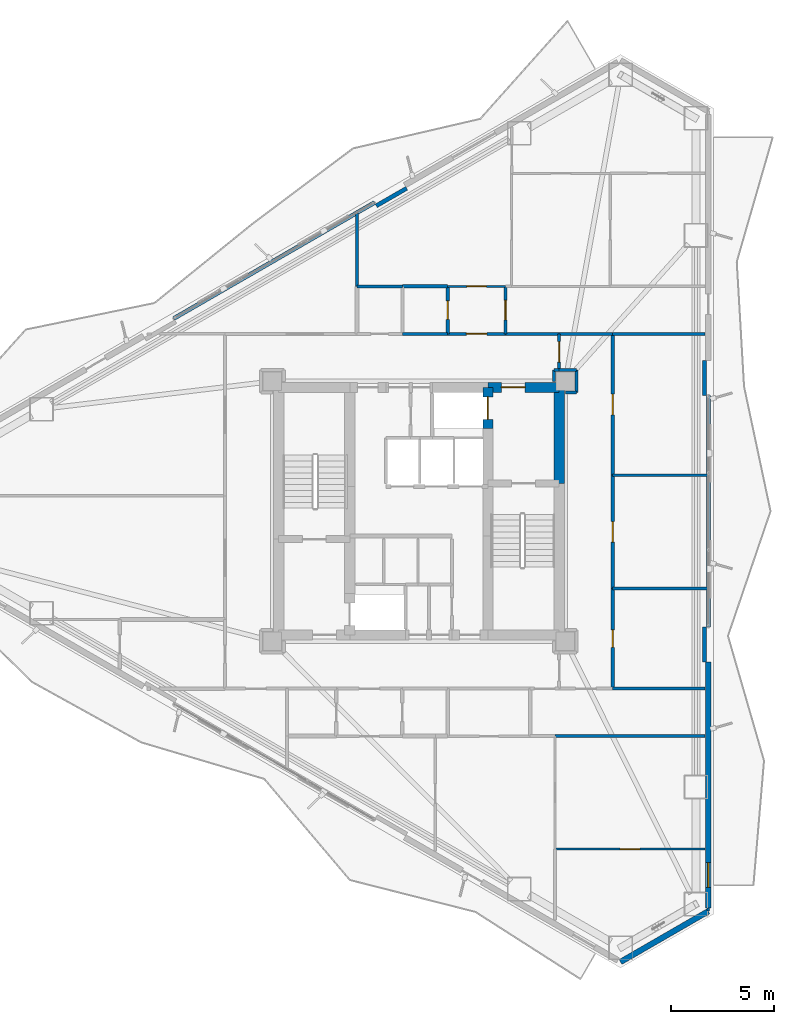
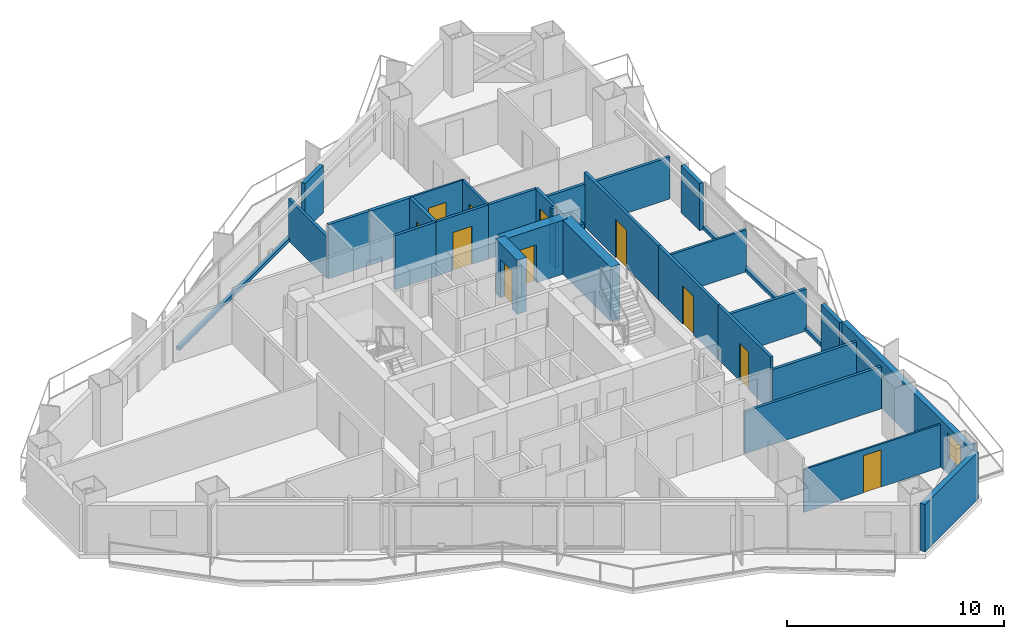
# One storey, part 18 of 22: 36 walls, 11 doors, 1 window, 12 openings.
"""IFC4 building model written with IfcOpenShell, lengths in metres."""

from ifc_helpers import new_model, si_unit, direction, frame, frame_2d, origin, place, context, subcontext, project, spatial, rectangle, extrude, material, layer, layer_set, type_object, element, fill, save


model = new_model("IFC4")

# Units and contexts
model_context = context("Model", 3, precision=1e-05, world=origin(), true_north=direction((0.0, 1.0)))
body_context = subcontext(model_context, "Body", "Model", "MODEL_VIEW")
ifc_project = project(units=[si_unit("LENGTHUNIT", "METRE"), si_unit("AREAUNIT", "SQUARE_METRE"), si_unit("VOLUMEUNIT", "CUBIC_METRE"), si_unit("PLANEANGLEUNIT", "RADIAN"), si_unit("MASSUNIT", "GRAM", prefix="KILO")], contexts=[model_context])

# Site, building, storey
site_placement = place(None, origin())
site = spatial("IfcSite", under=ifc_project, at=site_placement, CompositionType="ELEMENT")
building_placement = place(site_placement, origin())
building = spatial("IfcBuilding", under=site, at=building_placement, Name="Mersakhor Tower and Convention Hall", CompositionType="ELEMENT")
storey_placement = place(building_placement, frame((0.0, 0.0, 86.699951171875)))
storey = spatial("IfcBuildingStorey", under=building, at=storey_placement, Name="L23", CompositionType="ELEMENT", Elevation=86.699951171875)

# Wall
ifc_material_1 = material(Name="Precast concrete C45/55", Category="concrete")
ifc_layer_1 = layer(ifc_material_1, 0.27490234375)
ifc_layer_set_1 = layer_set([ifc_layer_1], Name="Precast concrete C45/55")
wall_type_1 = type_object("IfcWallType", Name="WL-EXT-275", PredefinedType="SOLIDWALL", material=ifc_layer_set_1)
wall_1_placement = place(storey_placement, frame((43.03466796875, 7.355712890625, 0.0), z_axis=(0.0, 0.0, 1.0), x_axis=(-0.866011848704, -0.500023477353, 0.0)))
element("IfcWall", 1, at=wall_1_placement, inside=storey, type_object=wall_type_1, Name="L23 Chamfer Braced Spandrel Wall C2", PredefinedType="SOLIDWALL", context=body_context, shape_type="SweptSolid", body=[
    extrude(rectangle(XDim=4.914306640625, YDim=0.27490234375, at=frame_2d((2.45703125, 0.0))), origin(), (0.0, 0.0, 1.0), 2.670166015625),
])

# Wall, opening, window
wall_2_placement = place(storey_placement, frame((43.03466796875, 19.435302734375, 0.0), z_axis=(0.0, 0.0, 1.0), x_axis=(0.0, -1.0, 0.0)))
wall_2 = element("IfcWall", 2, at=wall_2_placement, inside=storey, type_object=wall_type_1, Name="L23 Exterior Facade Wall F2-B3", PredefinedType="SOLIDWALL", context=body_context, shape_type="SweptSolid", body=[
    extrude(rectangle(XDim=11.9296875, YDim=0.27490234375, at=frame_2d((5.96484375, 0.0))), origin(), (0.0, 0.0, 1.0), 2.670166015625),
])
opening_1_placement = place(wall_2_placement, frame((9.72607421875, 0.0, 0.89990234375)))
opening_1 = element("IfcOpeningElement", 3, at=opening_1_placement, cuts=wall_2, Name="Opening W-01", PredefinedType="OPENING", context=body_context, shape_type="SweptSolid", body=[
    extrude(rectangle(XDim=1.199951171875, YDim=1.39990234375, at=frame_2d((0.60009765625, 0.699951171875))), frame((0.0, 0.1474609375, 0.0), z_axis=(0.0, -1.0, 0.0), x_axis=(1.0, 0.0, 0.0)), (0.0, 0.0, 1.0), 0.294921875),
])
ifc_material_2 = material(Name="Dark solar low-E glazed aluminium window", Category="aluminium")
window_type = type_object("IfcWindowType", Name="WN-RES-120x150", PartitioningType="SINGLE_PANEL", PredefinedType="WINDOW", material=ifc_material_2)
window_placement = place(opening_1_placement, origin())
window = element("IfcWindow", 4, at=window_placement, inside=storey, type_object=window_type, Name="L23 Bedroom Facade Window F2-B3-1", OverallHeight=1.39990234375, OverallWidth=1.199951171875, PartitioningType="SINGLE_PANEL", PredefinedType="WINDOW", context=body_context, shape_type="SweptSolid", body=[
    extrude(rectangle(XDim=1.199951171875, YDim=1.39990234375, at=frame_2d((0.60009765625, 0.699951171875))), frame((0.0, 0.030029296875, 0.0), z_axis=(0.0, -1.0, 0.0), x_axis=(1.0, 0.0, 0.0)), (0.0, 0.0, 1.0), 0.06005859375),
])
fill(opening_1, window)

# Walls
ifc_material_3 = material(Name="Precast concrete C40/50", Category="concrete")
ifc_layer_2 = layer(ifc_material_3, 0.199951171875)
ifc_layer_set_2 = layer_set([ifc_layer_2], Name="Precast concrete C40/50")
wall_type_2 = type_object("IfcWallType", Name="WL-PAR-200", PredefinedType="PARAPET", material=ifc_layer_set_2)
wall_3_placement = place(storey_placement, frame((17.1201171875, 36.096923828125, 0.0), z_axis=(0.0, 0.0, 1.0), x_axis=(0.866027010039, 0.499997217876, 0.0)))
element("IfcWall", 5, at=wall_3_placement, inside=storey, type_object=wall_type_2, Name="L23 Curtain Wall Upstand Sill F1-B2", PredefinedType="PARAPET", context=body_context, shape_type="SweptSolid", body=[
    extrude(rectangle(XDim=11.2294921875, YDim=0.199951171875, at=frame_2d((5.61474609375, 0.0))), origin(), (0.0, 0.0, 1.0), 0.199951171875),
])
wall_4_placement = place(storey_placement, frame((26.935302734375, 41.555908203125, 0.0), z_axis=(0.0, 0.0, 1.0), x_axis=(0.86605165483, 0.499954529098, 0.0)))
element("IfcWall", 6, at=wall_4_placement, inside=storey, type_object=wall_type_2, Name="L23 Column Pier Cladding Wall F1-C2", PredefinedType="PARAPET", context=body_context, shape_type="SweptSolid", body=[
    extrude(rectangle(XDim=1.699951171875, YDim=0.199951171875, at=frame_2d((0.85009765625, 0.0))), origin(), (0.0, 0.0, 1.0), 2.670166015625),
])
wall_5_placement = place(storey_placement, frame((43.03466796875, 32.36474609375, 0.0), z_axis=(0.0, 0.0, 1.0), x_axis=(0.0, -1.0, 0.0)))
element("IfcWall", 7, at=wall_5_placement, inside=storey, type_object=wall_type_2, Name="L23 Curtain Wall Upstand Sill F2-B2", PredefinedType="PARAPET", context=body_context, shape_type="SweptSolid", body=[
    extrude(rectangle(XDim=11.2294921875, YDim=0.199951171875, at=frame_2d((5.61474609375, 0.0))), origin(), (0.0, 0.0, 1.0), 0.199951171875),
])
for number, where, z_axis, x_axis, name in (
    (8, (42.8544921875, 34.064697265625, 0.0), (0.0, 0.0, 1.0), (0.0, -1.0, 0.0), "L23 Column Pier Cladding Wall F2-C1"),
    (9, (42.8544921875, 21.13525390625, 0.0), (0.0, 0.0, 1.0), (0.0, -1.0, 0.0), "L23 Column Pier Cladding Wall F2-C2"),
):
    element("IfcWall", number, at=place(storey_placement, frame(where, z_axis=z_axis, x_axis=x_axis)), inside=storey, type_object=wall_type_2, Name=name, PredefinedType="PARAPET", context=body_context, shape_type="SweptSolid", body=[
        extrude(rectangle(XDim=1.699951171875, YDim=0.199951171875, at=frame_2d((0.85009765625, 0.0))), origin(), (0.0, 0.0, 1.0), 2.670166015625),
    ])

# Wall, opening, door
ifc_material_4 = material(Name="Moisture-resistant acoustic drywall studwork", Category="other")
ifc_layer_3 = layer(ifc_material_4, 0.175048828125)
ifc_layer_set_3 = layer_set([ifc_layer_3], Name="Moisture-resistant acoustic drywall studwork")
wall_type_3 = type_object("IfcWallType", Name="WL-PLM-175", PredefinedType="PLUMBINGWALL", material=ifc_layer_set_3)
wall_6_placement = place(storey_placement, frame((30.39990234375, 35.35009765625, 0.0), z_axis=(0.0, 0.0, 1.0), x_axis=(0.0, 1.0, 0.0)))
wall_6 = element("IfcWall", 10, at=wall_6_placement, inside=storey, type_object=wall_type_3, Name="L23 Interior Partition Wall P-062", PredefinedType="PLUMBINGWALL", context=body_context, shape_type="SweptSolid", body=[
    extrude(rectangle(XDim=2.2998046875, YDim=0.175048828125, at=frame_2d((1.14990234375, 0.0))), origin(), (0.0, 0.0, 1.0), 3.050048828125),
])
opening_2_placement = place(wall_6_placement, frame((0.699951171875, 0.0, 0.0)))
opening_2 = element("IfcOpeningElement", 11, at=opening_2_placement, cuts=wall_6, Name="Opening WD-01", PredefinedType="OPENING", context=body_context, shape_type="SweptSolid", body=[
    extrude(rectangle(XDim=0.89990234375, YDim=2.10009765625, at=frame_2d((0.449951171875, 1.050048828125))), frame((0.0, 0.097412109375, 0.0), z_axis=(0.0, -1.0, 0.0), x_axis=(1.0, 0.0, 0.0)), (0.0, 0.0, 1.0), 0.195068359375),
])
ifc_material_5 = material(Name="Solid-core hardwood leaf in painted steel frame", Category="steel")
door_type_1 = type_object("IfcDoorType", Name="DR-INT-WET-090x210", OperationType="NOTDEFINED", PredefinedType="DOOR", material=ifc_material_5)
door_1_placement = place(opening_2_placement, origin())
door_1 = element("IfcDoor", 12, at=door_1_placement, inside=storey, type_object=door_type_1, Name="L23 L23 Flat N1 Apartment Hall to L23 Flat N1 Bathroom Door", OperationType="SINGLE_SWING_LEFT", OverallHeight=2.10009765625, OverallWidth=0.89990234375, PredefinedType="DOOR", context=body_context, shape_type="SweptSolid", body=[
    extrude(rectangle(XDim=0.89990234375, YDim=2.10009765625, at=frame_2d((0.449951171875, 1.050048828125))), frame((0.0, 0.02490234375, 0.0), z_axis=(0.0, -1.0, 0.0), x_axis=(1.0, 0.0, 0.0)), (0.0, 0.0, 1.0), 0.050048828125),
])
fill(opening_2, door_1)

# Wall
wall_7_placement = place(storey_placement, frame((28.199951171875, 37.64990234375, 0.0), z_axis=(0.0, 0.0, 1.0), x_axis=(1.0, 0.0, 0.0)))
element("IfcWall", 13, at=wall_7_placement, inside=storey, type_object=wall_type_3, Name="L23 Interior Partition Wall P-073", PredefinedType="PLUMBINGWALL", context=body_context, shape_type="SweptSolid", body=[
    extrude(rectangle(XDim=2.199951171875, YDim=0.175048828125, at=frame_2d((1.10009765625, 0.0))), origin(), (0.0, 0.0, 1.0), 3.050048828125),
])

# Wall, opening, door
ifc_material_6 = material(Name="Lightweight gypsum partition", Category="other")
ifc_layer_4 = layer(ifc_material_6, 0.10009765625)
ifc_layer_set_4 = layer_set([ifc_layer_4], Name="Lightweight gypsum partition")
wall_type_4 = type_object("IfcWallType", Name="WL-PRT-100", PredefinedType="PARTITIONING", material=ifc_layer_set_4)
wall_8_placement = place(storey_placement, frame((30.39990234375, 37.64990234375, 0.0), z_axis=(0.0, 0.0, 1.0), x_axis=(1.0, 0.0, 0.0)))
wall_8 = element("IfcWall", 14, at=wall_8_placement, inside=storey, type_object=wall_type_4, Name="L23 Interior Partition Wall P-060", PredefinedType="PARTITIONING", context=body_context, shape_type="SweptSolid", body=[
    extrude(rectangle(XDim=2.800048828125, YDim=0.10009765625, at=frame_2d((1.39990234375, 0.0))), origin(), (0.0, 0.0, 1.0), 3.050048828125),
])
opening_3_placement = place(wall_8_placement, frame((0.925048828125, 0.0, 0.0)))
opening_3 = element("IfcOpeningElement", 15, at=opening_3_placement, cuts=wall_8, Name="Opening RD-01", PredefinedType="OPENING", context=body_context, shape_type="SweptSolid", body=[
    extrude(rectangle(XDim=0.949951171875, YDim=2.10009765625, at=frame_2d((0.47509765625, 1.050048828125))), frame((0.0, 0.06005859375, 0.0), z_axis=(0.0, -1.0, 0.0), x_axis=(1.0, 0.0, 0.0)), (0.0, 0.0, 1.0), 0.1201171875),
])
ifc_material_7 = material(Name="Solid-core hardwood leaf in painted steel frame", Category="steel")
door_type_2 = type_object("IfcDoorType", Name="DR-INT-RM-095x210", OperationType="NOTDEFINED", PredefinedType="DOOR", material=ifc_material_7)
door_2_placement = place(opening_3_placement, origin())
door_2 = element("IfcDoor", 16, at=door_2_placement, inside=storey, type_object=door_type_2, Name="L23 L23 Flat N1 Apartment Hall to L23 Flat N1 Living and Dining Room Door", OperationType="SINGLE_SWING_LEFT", OverallHeight=2.10009765625, OverallWidth=0.949951171875, PredefinedType="DOOR", context=body_context, shape_type="SweptSolid", body=[
    extrude(rectangle(XDim=0.949951171875, YDim=2.10009765625, at=frame_2d((0.47509765625, 1.050048828125))), frame((0.0, 0.02490234375, 0.0), z_axis=(0.0, -1.0, 0.0), x_axis=(1.0, 0.0, 0.0)), (0.0, 0.0, 1.0), 0.050048828125),
])
fill(opening_3, door_2)

wall_9_placement = place(storey_placement, frame((35.60009765625, 10.3701171875, 0.0), z_axis=(0.0, 0.0, 1.0), x_axis=(1.0, 0.0, 0.0)))
wall_9 = element("IfcWall", 17, at=wall_9_placement, inside=storey, type_object=wall_type_4, Name="L23 Interior Partition Wall P-106", PredefinedType="PARTITIONING", context=body_context, shape_type="SweptSolid", body=[
    extrude(rectangle(XDim=7.27294921875, YDim=0.10009765625, at=frame_2d((3.636474609375, 0.0))), origin(), (0.0, 0.0, 1.0), 2.4228515625),
])
opening_4_placement = place(wall_9_placement, frame((3.16162109375, 0.0, 0.0)))
opening_4 = element("IfcOpeningElement", 18, at=opening_4_placement, cuts=wall_9, Name="Opening RD-01", PredefinedType="OPENING", context=body_context, shape_type="SweptSolid", body=[
    extrude(rectangle(XDim=0.949951171875, YDim=2.10009765625, at=frame_2d((0.47509765625, 1.050048828125))), frame((0.0, 0.06005859375, 0.0), z_axis=(0.0, -1.0, 0.0), x_axis=(1.0, 0.0, 0.0)), (0.0, 0.0, 1.0), 0.1201171875),
])
door_3_placement = place(opening_4_placement, origin())
door_3 = element("IfcDoor", 19, at=door_3_placement, inside=storey, type_object=door_type_2, Name="L23 L23 Flat S2 Bedroom 2 to L23 Flat S2 Dining Room Door", OperationType="SINGLE_SWING_RIGHT", OverallHeight=2.10009765625, OverallWidth=0.949951171875, PredefinedType="DOOR", context=body_context, shape_type="SweptSolid", body=[
    extrude(rectangle(XDim=0.949951171875, YDim=2.10009765625, at=frame_2d((0.47509765625, 1.050048828125))), frame((0.0, 0.02490234375, 0.0), z_axis=(0.0, -1.0, 0.0), x_axis=(1.0, 0.0, 0.0)), (0.0, 0.0, 1.0), 0.050048828125),
])
fill(opening_4, door_3)

ifc_material_8 = material(Name="Gypsum board acoustic partition", Category="other")
ifc_layer_5 = layer(ifc_material_8, 0.125)
ifc_layer_set_5 = layer_set([ifc_layer_5], Name="Gypsum board acoustic partition")
wall_type_5 = type_object("IfcWallType", Name="WL-PRT-125", PredefinedType="PARTITIONING", material=ifc_layer_set_5)
wall_10_placement = place(storey_placement, frame((33.199951171875, 37.64990234375, 0.0), z_axis=(0.0, 0.0, 1.0), x_axis=(0.0, -1.0, 0.0)))
wall_10 = element("IfcWall", 20, at=wall_10_placement, inside=storey, type_object=wall_type_5, Name="L23 Interior Partition Wall P-061", PredefinedType="PARTITIONING", context=body_context, shape_type="SweptSolid", body=[
    extrude(rectangle(XDim=2.2998046875, YDim=0.125, at=frame_2d((1.14990234375, 0.0))), origin(), (0.0, 0.0, 1.0), 3.050048828125),
])
opening_5_placement = place(wall_10_placement, frame((0.675048828125, 0.0, 0.0)))
opening_5 = element("IfcOpeningElement", 21, at=opening_5_placement, cuts=wall_10, Name="Opening RD-01", PredefinedType="OPENING", context=body_context, shape_type="SweptSolid", body=[
    extrude(rectangle(XDim=0.949951171875, YDim=2.10009765625, at=frame_2d((0.47509765625, 1.050048828125))), frame((0.0, 0.072509765625, 0.0), z_axis=(0.0, -1.0, 0.0), x_axis=(1.0, 0.0, 0.0)), (0.0, 0.0, 1.0), 0.14501953125),
])
door_4_placement = place(opening_5_placement, origin())
door_4 = element("IfcDoor", 22, at=door_4_placement, inside=storey, type_object=door_type_2, Name="L23 L23 Flat N1 Apartment Hall to L23 Flat N1 Kitchen Door", OperationType="SINGLE_SWING_RIGHT", OverallHeight=2.10009765625, OverallWidth=0.949951171875, PredefinedType="DOOR", context=body_context, shape_type="SweptSolid", body=[
    extrude(rectangle(XDim=0.949951171875, YDim=2.10009765625, at=frame_2d((0.47509765625, 1.050048828125))), frame((0.0, 0.02490234375, 0.0), z_axis=(0.0, -1.0, 0.0), x_axis=(1.0, 0.0, 0.0)), (0.0, 0.0, 1.0), 0.050048828125),
])
fill(opening_5, door_4)

# Walls
wall_11_placement = place(storey_placement, frame((42.99853515625, 28.5, 0.0), z_axis=(0.0, 0.0, 1.0), x_axis=(-1.0, 0.0, 0.0)))
element("IfcWall", 23, at=wall_11_placement, inside=storey, type_object=wall_type_5, Name="L23 Interior Partition Wall P-095", PredefinedType="PARTITIONING", context=body_context, shape_type="SweptSolid", body=[
    extrude(rectangle(XDim=4.5986328125, YDim=0.125, at=frame_2d((2.29931640625, 0.0))), origin(), (0.0, 0.0, 1.0), 2.364990234375),
])
wall_12_placement = place(storey_placement, frame((43.034912109375, 7.505615234375, 0.0), z_axis=(0.0, 0.0, 1.0), x_axis=(0.0, -1.0, 0.0)))
element("IfcWall", 24, at=wall_12_placement, inside=storey, type_object=wall_type_5, Name="L23 Interior Partition Wall P-107", PredefinedType="PARTITIONING", context=body_context, shape_type="SweptSolid", body=[
    extrude(rectangle(XDim=0.149658203125, YDim=0.125, at=frame_2d((0.07470703125, 0.0))), origin(), (0.0, 0.0, 1.0), 3.050048828125),
])
ifc_material_9 = material(Name="Fire-rated gypsum board stud partition", Category="other")
ifc_layer_6 = layer(ifc_material_9, 0.14990234375)
ifc_layer_set_6 = layer_set([ifc_layer_6], Name="Fire-rated gypsum board stud partition")
wall_type_6 = type_object("IfcWallType", Name="WL-PRT-150", PredefinedType="PARTITIONING", material=ifc_layer_set_6)
wall_13_placement = place(storey_placement, frame((28.199951171875, 35.35009765625, 0.0), z_axis=(0.0, 0.0, 1.0), x_axis=(1.0, 0.0, 0.0)))
element("IfcWall", 25, at=wall_13_placement, inside=storey, type_object=wall_type_6, Name="L23 Interior Partition Wall P-037", PredefinedType="PARTITIONING", context=body_context, shape_type="SweptSolid", body=[
    extrude(rectangle(XDim=2.199951171875, YDim=0.14990234375, at=frame_2d((1.10009765625, 0.0))), origin(), (0.0, 0.0, 1.0), 3.050048828125),
])

# Wall, opening, door
wall_14_placement = place(storey_placement, frame((30.39990234375, 35.35009765625, 0.0), z_axis=(0.0, 0.0, 1.0), x_axis=(1.0, 0.0, 0.0)))
wall_14 = element("IfcWall", 26, at=wall_14_placement, inside=storey, type_object=wall_type_6, Name="L23 Interior Partition Wall P-038", PredefinedType="PARTITIONING", context=body_context, shape_type="SweptSolid", body=[
    extrude(rectangle(XDim=2.800048828125, YDim=0.14990234375, at=frame_2d((1.39990234375, 0.0))), origin(), (0.0, 0.0, 1.0), 3.050048828125),
])
opening_6_placement = place(wall_14_placement, frame((0.89990234375, 0.0, 0.0)))
opening_6 = element("IfcOpeningElement", 27, at=opening_6_placement, cuts=wall_14, Name="Opening FD-01", PredefinedType="OPENING", context=body_context, shape_type="SweptSolid", body=[
    extrude(rectangle(XDim=1.0, YDim=2.14990234375, at=frame_2d((0.5, 1.074951171875))), frame((0.0, 0.0849609375, 0.0), z_axis=(0.0, -1.0, 0.0), x_axis=(1.0, 0.0, 0.0)), (0.0, 0.0, 1.0), 0.169921875),
])
ifc_material_10 = material(Name="Fire-rated hardwood leaf and painted steel frame", Category="steel")
door_type_3 = type_object("IfcDoorType", Name="DR-INT-FLT-100x215", OperationType="NOTDEFINED", PredefinedType="DOOR", material=ifc_material_10)
door_5_placement = place(opening_6_placement, origin())
door_5 = element("IfcDoor", 28, at=door_5_placement, inside=storey, type_object=door_type_3, Name="L23 Apartment Entrance Door (Residential Ring Corridor to L23 Flat N1 Apartment Hall)", OperationType="SINGLE_SWING_LEFT", OverallHeight=2.14990234375, OverallWidth=1.0, PredefinedType="DOOR", context=body_context, shape_type="SweptSolid", body=[
    extrude(rectangle(XDim=1.0, YDim=2.14990234375, at=frame_2d((0.5, 1.074951171875))), frame((0.0, 0.02490234375, 0.0), z_axis=(0.0, -1.0, 0.0), x_axis=(1.0, 0.0, 0.0)), (0.0, 0.0, 1.0), 0.050048828125),
])
fill(opening_6, door_5)

# Wall
wall_15_placement = place(storey_placement, frame((33.199951171875, 35.35009765625, 0.0), z_axis=(0.0, 0.0, 1.0), x_axis=(1.0, 0.0, 0.0)))
element("IfcWall", 29, at=wall_15_placement, inside=storey, type_object=wall_type_6, Name="L23 Interior Partition Wall P-039", PredefinedType="PARTITIONING", context=body_context, shape_type="SweptSolid", body=[
    extrude(rectangle(XDim=2.60009765625, YDim=0.14990234375, at=frame_2d((1.300048828125, 0.0))), origin(), (0.0, 0.0, 1.0), 3.050048828125),
])

# Wall, opening, door
wall_16_placement = place(storey_placement, frame((35.800048828125, 35.35009765625, 0.0), z_axis=(0.0, 0.0, 1.0), x_axis=(0.0, -1.0, 0.0)))
wall_16 = element("IfcWall", 30, at=wall_16_placement, inside=storey, type_object=wall_type_6, Name="L23 Interior Partition Wall P-040", PredefinedType="PARTITIONING", context=body_context, shape_type="SweptSolid", body=[
    extrude(rectangle(XDim=1.75, YDim=0.14990234375, at=frame_2d((0.875, 0.0))), origin(), (0.0, 0.0, 1.0), 3.050048828125),
])
opening_7_placement = place(wall_16_placement, frame((0.375, 0.0, 0.0)))
opening_7 = element("IfcOpeningElement", 31, at=opening_7_placement, cuts=wall_16, Name="Opening FD-01", PredefinedType="OPENING", context=body_context, shape_type="SweptSolid", body=[
    extrude(rectangle(XDim=1.0, YDim=2.14990234375, at=frame_2d((0.5, 1.074951171875))), frame((0.0, 0.0849609375, 0.0), z_axis=(0.0, -1.0, 0.0), x_axis=(1.0, 0.0, 0.0)), (0.0, 0.0, 1.0), 0.169921875),
])
door_6_placement = place(opening_7_placement, origin())
door_6 = element("IfcDoor", 32, at=door_6_placement, inside=storey, type_object=door_type_3, Name="L23 Ring Corridor Fire Door", OperationType="SINGLE_SWING_RIGHT", OverallHeight=2.14990234375, OverallWidth=1.0, PredefinedType="DOOR", context=body_context, shape_type="SweptSolid", body=[
    extrude(rectangle(XDim=1.0, YDim=2.14990234375, at=frame_2d((0.5, 1.074951171875))), frame((0.0, 0.02490234375, 0.0), z_axis=(0.0, -1.0, 0.0), x_axis=(1.0, 0.0, 0.0)), (0.0, 0.0, 1.0), 0.050048828125),
])
fill(opening_7, door_6)

# Walls
wall_17_placement = place(storey_placement, frame((35.800048828125, 33.60009765625, 0.0), z_axis=(0.0, 0.0, 1.0), x_axis=(-1.0, 0.0, 0.0)))
element("IfcWall", 33, at=wall_17_placement, inside=storey, type_object=wall_type_6, Name="L23 Interior Partition Wall P-041", PredefinedType="PARTITIONING", context=body_context, shape_type="SweptSolid", body=[
    extrude(rectangle(XDim=0.25, YDim=0.14990234375, at=frame_2d((0.125, 0.0))), origin(), (0.0, 0.0, 1.0), 3.050048828125),
])
wall_18_placement = place(storey_placement, frame((35.550048828125, 33.60009765625, 0.0), z_axis=(0.0, 0.0, 1.0), x_axis=(0.0, -1.0, 0.0)))
element("IfcWall", 34, at=wall_18_placement, inside=storey, type_object=wall_type_6, Name="L23 Interior Partition Wall P-042", PredefinedType="PARTITIONING", context=body_context, shape_type="SweptSolid", body=[
    extrude(rectangle(XDim=0.550048828125, YDim=0.14990234375, at=frame_2d((0.27490234375, 0.0))), origin(), (0.0, 0.0, 1.0), 2.498291015625),
])
wall_19_placement = place(storey_placement, frame((36.10009765625, 32.5, 0.0), z_axis=(0.0, 0.0, 1.0), x_axis=(1.0, 0.0, 0.0)))
element("IfcWall", 35, at=wall_19_placement, inside=storey, type_object=wall_type_6, Name="L23 Interior Partition Wall P-050", PredefinedType="PARTITIONING", context=body_context, shape_type="SweptSolid", body=[
    extrude(rectangle(XDim=0.5498046875, YDim=0.14990234375, at=frame_2d((0.27490234375, 0.0))), origin(), (0.0, 0.0, 1.0), 2.498291015625),
])
wall_20_placement = place(storey_placement, frame((36.64990234375, 32.5, 0.0), z_axis=(0.0, 0.0, 1.0), x_axis=(0.0, 1.0, 0.0)))
element("IfcWall", 36, at=wall_20_placement, inside=storey, type_object=wall_type_6, Name="L23 Interior Partition Wall P-051", PredefinedType="PARTITIONING", context=body_context, shape_type="SweptSolid", body=[
    extrude(rectangle(XDim=1.10009765625, YDim=0.14990234375, at=frame_2d((0.550048828125, 0.0))), origin(), (0.0, 0.0, 1.0), 2.4228515625),
])
wall_21_placement = place(storey_placement, frame((36.64990234375, 33.60009765625, 0.0), z_axis=(0.0, 0.0, 1.0), x_axis=(-1.0, 0.0, 0.0)))
element("IfcWall", 37, at=wall_21_placement, inside=storey, type_object=wall_type_6, Name="L23 Interior Partition Wall P-052", PredefinedType="PARTITIONING", context=body_context, shape_type="SweptSolid", body=[
    extrude(rectangle(XDim=0.849853515625, YDim=0.14990234375, at=frame_2d((0.4248046875, 0.0))), origin(), (0.0, 0.0, 1.0), 2.4228515625),
])
wall_22_placement = place(storey_placement, frame((35.800048828125, 35.35009765625, 0.0), z_axis=(0.0, 0.0, 1.0), x_axis=(1.0, 0.0, 0.0)))
element("IfcWall", 38, at=wall_22_placement, inside=storey, type_object=wall_type_6, Name="L23 Interior Partition Wall P-053", PredefinedType="PARTITIONING", context=body_context, shape_type="SweptSolid", body=[
    extrude(rectangle(XDim=2.599853515625, YDim=0.14990234375, at=frame_2d((1.2998046875, 0.0))), origin(), (0.0, 0.0, 1.0), 2.4228515625),
])

# Wall, opening, door
wall_23_placement = place(storey_placement, frame((38.39990234375, 35.35009765625, 0.0), z_axis=(0.0, 0.0, 1.0), x_axis=(0.0, -1.0, 0.0)))
wall_23 = element("IfcWall", 39, at=wall_23_placement, inside=storey, type_object=wall_type_6, Name="L23 Interior Partition Wall P-054", PredefinedType="PARTITIONING", context=body_context, shape_type="SweptSolid", body=[
    extrude(rectangle(XDim=6.85009765625, YDim=0.14990234375, at=frame_2d((3.425048828125, 0.0))), origin(), (0.0, 0.0, 1.0), 3.050048828125),
])
opening_8_placement = place(wall_23_placement, frame((2.925048828125, 0.0, 0.0)))
opening_8 = element("IfcOpeningElement", 40, at=opening_8_placement, cuts=wall_23, Name="Opening FD-01", PredefinedType="OPENING", context=body_context, shape_type="SweptSolid", body=[
    extrude(rectangle(XDim=1.0, YDim=2.14990234375, at=frame_2d((0.5, 1.074951171875))), frame((0.0, 0.0849609375, 0.0), z_axis=(0.0, -1.0, 0.0), x_axis=(1.0, 0.0, 0.0)), (0.0, 0.0, 1.0), 0.169921875),
])
door_7_placement = place(opening_8_placement, origin())
door_7 = element("IfcDoor", 41, at=door_7_placement, inside=storey, type_object=door_type_3, Name="L23 Residential Ring East Corridor to L23 East Wing Ceramics Teaching Studio Door", OperationType="SINGLE_SWING_RIGHT", OverallHeight=2.14990234375, OverallWidth=1.0, PredefinedType="DOOR", context=body_context, shape_type="SweptSolid", body=[
    extrude(rectangle(XDim=1.0, YDim=2.14990234375, at=frame_2d((0.5, 1.074951171875))), frame((0.0, 0.02490234375, 0.0), z_axis=(0.0, -1.0, 0.0), x_axis=(1.0, 0.0, 0.0)), (0.0, 0.0, 1.0), 0.050048828125),
])
fill(opening_8, door_7)

wall_24_placement = place(storey_placement, frame((38.39990234375, 28.5, 0.0), z_axis=(0.0, 0.0, 1.0), x_axis=(0.0, -1.0, 0.0)))
wall_24 = element("IfcWall", 42, at=wall_24_placement, inside=storey, type_object=wall_type_6, Name="L23 Interior Partition Wall P-055", PredefinedType="PARTITIONING", context=body_context, shape_type="SweptSolid", body=[
    extrude(rectangle(XDim=5.5, YDim=0.14990234375, at=frame_2d((2.75, 0.0))), origin(), (0.0, 0.0, 1.0), 3.050048828125),
])
opening_9_placement = place(wall_24_placement, frame((2.25, 0.0, 0.0)))
opening_9 = element("IfcOpeningElement", 43, at=opening_9_placement, cuts=wall_24, Name="Opening FD-01", PredefinedType="OPENING", context=body_context, shape_type="SweptSolid", body=[
    extrude(rectangle(XDim=1.0, YDim=2.14990234375, at=frame_2d((0.5, 1.074951171875))), frame((0.0, 0.0849609375, 0.0), z_axis=(0.0, -1.0, 0.0), x_axis=(1.0, 0.0, 0.0)), (0.0, 0.0, 1.0), 0.169921875),
])
door_8_placement = place(opening_9_placement, origin())
door_8 = element("IfcDoor", 44, at=door_8_placement, inside=storey, type_object=door_type_3, Name="L23 Residential Ring East Corridor to L23 East Wing Shared Laundry Room Door", OperationType="SINGLE_SWING_LEFT", OverallHeight=2.14990234375, OverallWidth=1.0, PredefinedType="DOOR", context=body_context, shape_type="SweptSolid", body=[
    extrude(rectangle(XDim=1.0, YDim=2.14990234375, at=frame_2d((0.5, 1.074951171875))), frame((0.0, 0.02490234375, 0.0), z_axis=(0.0, -1.0, 0.0), x_axis=(1.0, 0.0, 0.0)), (0.0, 0.0, 1.0), 0.050048828125),
])
fill(opening_9, door_8)

wall_25_placement = place(storey_placement, frame((38.39990234375, 23.0, 0.0), z_axis=(0.0, 0.0, 1.0), x_axis=(0.0, -1.0, 0.0)))
wall_25 = element("IfcWall", 45, at=wall_25_placement, inside=storey, type_object=wall_type_6, Name="L23 Interior Partition Wall P-056", PredefinedType="PARTITIONING", context=body_context, shape_type="SweptSolid", body=[
    extrude(rectangle(XDim=4.85009765625, YDim=0.14990234375, at=frame_2d((2.425048828125, 0.0))), origin(), (0.0, 0.0, 1.0), 3.050048828125),
])
opening_10_placement = place(wall_25_placement, frame((2.0, 0.0, 0.0)))
opening_10 = element("IfcOpeningElement", 46, at=opening_10_placement, cuts=wall_25, Name="Opening SVD-01", PredefinedType="OPENING", context=body_context, shape_type="SweptSolid", body=[
    extrude(rectangle(XDim=0.85009765625, YDim=2.10009765625, at=frame_2d((0.425048828125, 1.050048828125))), frame((0.0, 0.0849609375, 0.0), z_axis=(0.0, -1.0, 0.0), x_axis=(1.0, 0.0, 0.0)), (0.0, 0.0, 1.0), 0.169921875),
])
ifc_material_11 = material(Name="Fire-rated hardwood leaf and painted steel frame", Category="steel")
door_type_4 = type_object("IfcDoorType", Name="DR-INT-SVC-085x210", OperationType="NOTDEFINED", PredefinedType="DOOR", material=ifc_material_11)
door_9_placement = place(opening_10_placement, origin())
door_9 = element("IfcDoor", 47, at=door_9_placement, inside=storey, type_object=door_type_4, Name="L23 Residential Ring East Corridor to L23 East Wing Household Store Room Door", OperationType="SINGLE_SWING_RIGHT", OverallHeight=2.10009765625, OverallWidth=0.85009765625, PredefinedType="DOOR", context=body_context, shape_type="SweptSolid", body=[
    extrude(rectangle(XDim=0.85009765625, YDim=2.10009765625, at=frame_2d((0.425048828125, 1.050048828125))), frame((0.0, 0.02490234375, 0.0), z_axis=(0.0, -1.0, 0.0), x_axis=(1.0, 0.0, 0.0)), (0.0, 0.0, 1.0), 0.050048828125),
])
fill(opening_10, door_9)

# Walls
wall_26_placement = place(storey_placement, frame((26.0, 37.64990234375, 0.0), z_axis=(0.0, 0.0, 1.0), x_axis=(1.0, 0.0, 0.0)))
element("IfcWall", 48, at=wall_26_placement, inside=storey, type_object=wall_type_6, Name="L23 Interior Partition Wall P-066", PredefinedType="PARTITIONING", context=body_context, shape_type="SweptSolid", body=[
    extrude(rectangle(XDim=2.199951171875, YDim=0.14990234375, at=frame_2d((1.10009765625, 0.0))), origin(), (0.0, 0.0, 1.0), 3.050048828125),
])
wall_27_placement = place(storey_placement, frame((42.873046875, 35.35009765625, 0.0), z_axis=(0.0, 0.0, 1.0), x_axis=(-1.0, 0.0, 0.0)))
element("IfcWall", 49, at=wall_27_placement, inside=storey, type_object=wall_type_6, Name="L23 Interior Partition Wall P-074", PredefinedType="PARTITIONING", context=body_context, shape_type="SweptSolid", body=[
    extrude(rectangle(XDim=4.47314453125, YDim=0.14990234375, at=frame_2d((2.236572265625, 0.0))), origin(), (0.0, 0.0, 1.0), 2.364990234375),
])
wall_28_placement = place(storey_placement, frame((26.0, 41.18212890625, 0.0), z_axis=(0.0, 0.0, 1.0), x_axis=(0.0, -1.0, 0.0)))
element("IfcWall", 50, at=wall_28_placement, inside=storey, type_object=wall_type_6, Name="L23 Interior Partition Wall P-086", PredefinedType="PARTITIONING", context=body_context, shape_type="SweptSolid", body=[
    extrude(rectangle(XDim=3.5322265625, YDim=0.14990234375, at=frame_2d((1.76611328125, 0.0))), origin(), (0.0, 0.0, 1.0), 2.364990234375),
])
wall_29_placement = place(storey_placement, frame((38.39990234375, 18.14990234375, 0.0), z_axis=(0.0, 0.0, 1.0), x_axis=(1.0, 0.0, 0.0)))
element("IfcWall", 51, at=wall_29_placement, inside=storey, type_object=wall_type_6, Name="L23 Interior Partition Wall P-089", PredefinedType="PARTITIONING", context=body_context, shape_type="SweptSolid", body=[
    extrude(rectangle(XDim=4.47314453125, YDim=0.14990234375, at=frame_2d((2.236572265625, 0.0))), origin(), (0.0, 0.0, 1.0), 2.364990234375),
])
wall_30_placement = place(storey_placement, frame((42.873046875, 15.85009765625, 0.0), z_axis=(0.0, 0.0, 1.0), x_axis=(-1.0, 0.0, 0.0)))
element("IfcWall", 52, at=wall_30_placement, inside=storey, type_object=wall_type_6, Name="L23 Interior Partition Wall P-090", PredefinedType="PARTITIONING", context=body_context, shape_type="SweptSolid", body=[
    extrude(rectangle(XDim=7.27294921875, YDim=0.14990234375, at=frame_2d((3.636474609375, 0.0))), origin(), (0.0, 0.0, 1.0), 2.364990234375),
])
wall_31_placement = place(storey_placement, frame((42.99853515625, 23.0, 0.0), z_axis=(0.0, 0.0, 1.0), x_axis=(-1.0, 0.0, 0.0)))
element("IfcWall", 53, at=wall_31_placement, inside=storey, type_object=wall_type_6, Name="L23 Interior Partition Wall P-096", PredefinedType="PARTITIONING", context=body_context, shape_type="SweptSolid", body=[
    extrude(rectangle(XDim=4.5986328125, YDim=0.14990234375, at=frame_2d((2.29931640625, 0.0))), origin(), (0.0, 0.0, 1.0), 2.364990234375),
])

# Wall, opening, door
ifc_material_12 = material(Name="Concrete C70/85", Category="concrete")
ifc_layer_7 = layer(ifc_material_12, 0.5)
ifc_layer_set_7 = layer_set([ifc_layer_7], Name="Concrete C70/85")
wall_type_7 = type_object("IfcWallType", Name="WL-SHR-500", PredefinedType="SHEAR", material=ifc_layer_set_7)
wall_32_placement = place(storey_placement, frame((32.35009765625, 32.75, 0.0), z_axis=(0.0, 0.0, 1.0), x_axis=(1.0, 0.0, 0.0)))
wall_32 = element("IfcWall", 54, at=wall_32_placement, inside=storey, type_object=wall_type_7, Name="L23 Core Wall CW-N4", PredefinedType="SHEAR", context=body_context, shape_type="SweptSolid", body=[
    extrude(rectangle(XDim=3.449951171875, YDim=0.5, at=frame_2d((1.72509765625, 0.0))), origin(), (0.0, 0.0, 1.0), 3.050048828125),
])
opening_11_placement = place(wall_32_placement, frame((0.64990234375, 0.0, 0.0)))
opening_11 = element("IfcOpeningElement", 55, at=opening_11_placement, cuts=wall_32, Name="Opening SD-01", PredefinedType="OPENING", context=body_context, shape_type="SweptSolid", body=[
    extrude(rectangle(XDim=1.14990234375, YDim=2.14990234375, at=frame_2d((0.574951171875, 1.074951171875))), frame((0.0, 0.260009765625, 0.0), z_axis=(0.0, -1.0, 0.0), x_axis=(1.0, 0.0, 0.0)), (0.0, 0.0, 1.0), 0.52001953125),
])
ifc_material_13 = material(Name="Fire-rated hardwood leaf and painted steel frame", Category="steel")
door_type_5 = type_object("IfcDoorType", Name="DR-INT-STAIR-115x215", OperationType="NOTDEFINED", PredefinedType="DOOR", material=ifc_material_13)
door_10_placement = place(opening_11_placement, origin())
door_10 = element("IfcDoor", 56, at=door_10_placement, inside=storey, type_object=door_type_5, Name="L23 Firefighting Lobby East Fire Door", OperationType="SINGLE_SWING_RIGHT", OverallHeight=2.14990234375, OverallWidth=1.14990234375, PredefinedType="DOOR", context=body_context, shape_type="SweptSolid", body=[
    extrude(rectangle(XDim=1.14990234375, YDim=2.14990234375, at=frame_2d((0.574951171875, 1.074951171875))), frame((0.0, 0.02490234375, 0.0), z_axis=(0.0, -1.0, 0.0), x_axis=(1.0, 0.0, 0.0)), (0.0, 0.0, 1.0), 0.050048828125),
])
fill(opening_11, door_10)

# Wall
wall_33_placement = place(storey_placement, frame((35.800048828125, 32.75, 0.0), z_axis=(0.0, 0.0, 1.0), x_axis=(0.0, -1.0, 0.0)))
element("IfcWall", 57, at=wall_33_placement, inside=storey, type_object=wall_type_7, Name="L23 Core Wall CW-E1", PredefinedType="SHEAR", context=body_context, shape_type="SweptSolid", body=[
    extrude(rectangle(XDim=4.64990234375, YDim=0.5, at=frame_2d((2.324951171875, 0.0))), origin(), (0.0, 0.0, 1.0), 3.050048828125),
])

# Wall, opening, door
wall_34_placement = place(storey_placement, frame((32.35009765625, 30.75, 0.0), z_axis=(0.0, 0.0, 1.0), x_axis=(0.0, 1.0, 0.0)))
wall_34 = element("IfcWall", 58, at=wall_34_placement, inside=storey, type_object=wall_type_7, Name="L23 Core Wall CS-E-FFL", PredefinedType="SHEAR", context=body_context, shape_type="SweptSolid", body=[
    extrude(rectangle(XDim=2.0, YDim=0.5, at=frame_2d((1.0, 0.0))), origin(), (0.0, 0.0, 1.0), 3.050048828125),
])
opening_12_placement = place(wall_34_placement, frame((0.449951171875, 0.0, 0.0)))
opening_12 = element("IfcOpeningElement", 59, at=opening_12_placement, cuts=wall_34, Name="Opening LD-FFL2", PredefinedType="OPENING", context=body_context, shape_type="SweptSolid", body=[
    extrude(rectangle(XDim=1.10009765625, YDim=2.14990234375, at=frame_2d((0.550048828125, 1.074951171875))), frame((0.0, 0.260009765625, 0.0), z_axis=(0.0, -1.0, 0.0), x_axis=(1.0, 0.0, 0.0)), (0.0, 0.0, 1.0), 0.52001953125),
])
ifc_material_14 = material(Name="Fire-rated brushed stainless steel sliding landing door", Category="steel")
door_type_6 = type_object("IfcDoorType", Name="DR-LIFT-SLD-110x215", OperationType="NOTDEFINED", PredefinedType="DOOR", material=ifc_material_14)
door_11_placement = place(opening_12_placement, origin())
door_11 = element("IfcDoor", 60, at=door_11_placement, inside=storey, type_object=door_type_6, Name="L23 Firefighting Lift Landing Door LD-FFL2", OperationType="SLIDING_TO_LEFT", OverallHeight=2.14990234375, OverallWidth=1.10009765625, PredefinedType="DOOR", context=body_context, shape_type="SweptSolid", body=[
    extrude(rectangle(XDim=1.10009765625, YDim=2.14990234375, at=frame_2d((0.550048828125, 1.074951171875))), frame((0.0, 0.02490234375, 0.0), z_axis=(0.0, -1.0, 0.0), x_axis=(1.0, 0.0, 0.0)), (0.0, 0.0, 1.0), 0.050048828125),
])
fill(opening_12, door_11)

save(model, "model.ifc")
